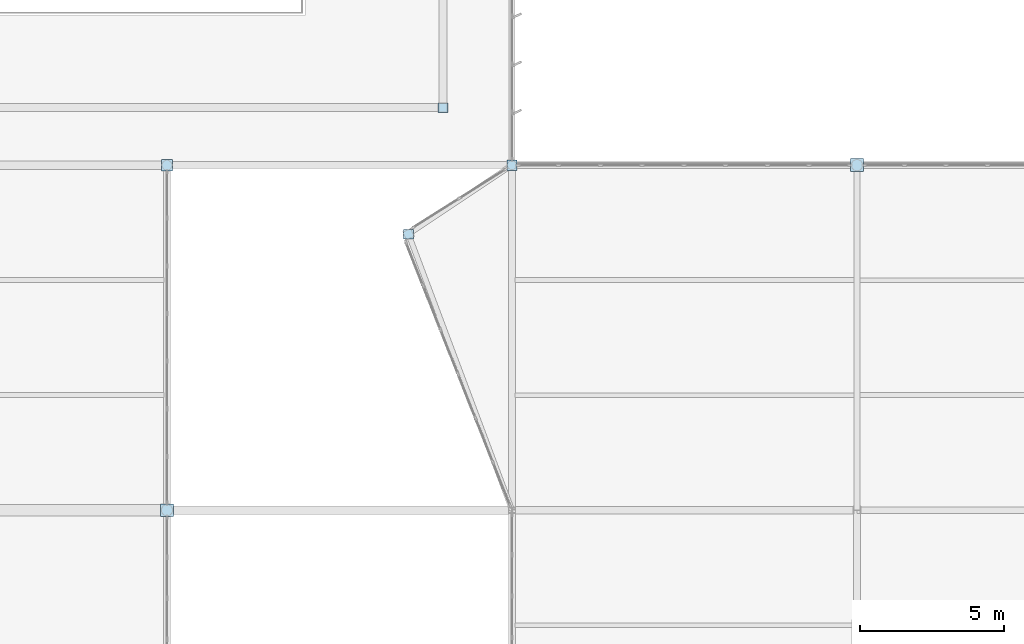
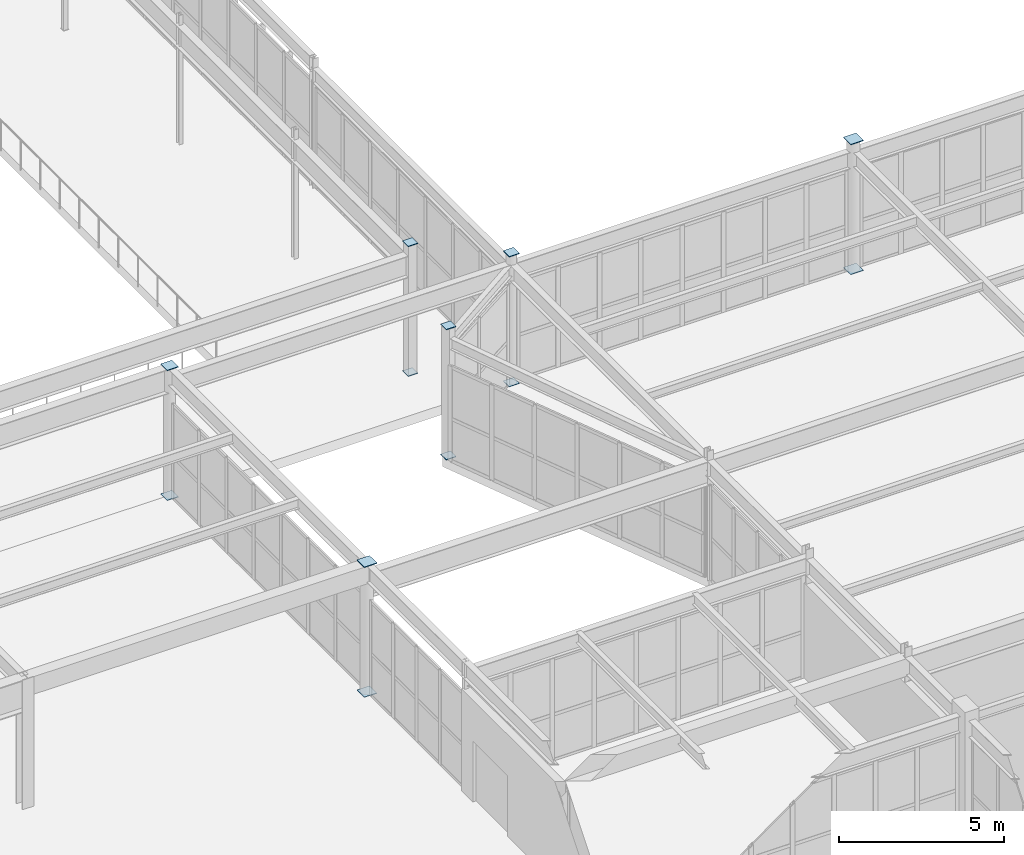
# One storey, part 147 of 186: 12 plates.
"""IFC4 building model written with IfcOpenShell, lengths in metres."""

from ifc_helpers import new_model, si_unit, direction, frame, origin, origin_2d, place, context, subcontext, project, spatial, rectangle, extrude, material, layer, layer_set, type_object, element, save


model = new_model("IFC4")

# Units and contexts
model_context = context("Model", 3, precision=1e-05, world=origin(), true_north=direction((0.0, 1.0)))
body_context = subcontext(model_context, "Body", "Model", "MODEL_VIEW")
ifc_project = project(units=[si_unit("LENGTHUNIT", "METRE"), si_unit("AREAUNIT", "SQUARE_METRE"), si_unit("VOLUMEUNIT", "CUBIC_METRE"), si_unit("PLANEANGLEUNIT", "RADIAN"), si_unit("MASSUNIT", "GRAM", prefix="KILO")], contexts=[model_context])

# Site, building, storey
site_placement = place(None, origin())
site = spatial("IfcSite", under=ifc_project, at=site_placement, CompositionType="ELEMENT")
building_placement = place(site_placement, origin())
building = spatial("IfcBuilding", under=site, at=building_placement, Name="Tarnwether General Hospital", CompositionType="ELEMENT")
storey_placement = place(building_placement, frame((0.0, 0.0, 9.60009765625)))
storey = spatial("IfcBuildingStorey", under=building, at=storey_placement, Name="L02", CompositionType="ELEMENT", Elevation=9.60009765625)

# Plates
ifc_material = material(Name="Steel Grade 350 (350 MPa)", Category="steel")
ifc_layer = layer(ifc_material, 0.02490234375)
ifc_layer_set = layer_set([ifc_layer], Name="Steel Grade 350 (350 MPa)")
plate_type = type_object("IfcPlateType", Name="PT-GUS2", PredefinedType="USERDEFINED", material=ifc_layer_set)
for number, where, z_axis, x_axis, name in (
    (1, (132.0, 33.60009765625, -0.025146484375), (0.0, 0.0, 1.0), (1.0, 0.0, 0.0), "Hollow Section Welded End Cap Plate 0225"),
    (2, (132.0, 33.60009765625, 4.800048828125), (0.0, 0.0, 1.0), (1.0, 0.0, 0.0), "Hollow Section Welded End Cap Plate 0226"),
):
    element("IfcPlate", number, at=place(storey_placement, frame(where, z_axis=z_axis, x_axis=x_axis)), inside=storey, type_object=plate_type, Name=name, ObjectType="GUSSET", PredefinedType="USERDEFINED", context=body_context, shape_type="SweptSolid", body=[
        extrude(rectangle(XDim=0.446044921875, YDim=0.446044921875, at=origin_2d()), origin(), (0.0, 0.0, 1.0), 0.02490234375),
    ])
for number, where, z_axis, x_axis, name in (
    (3, (132.0, 45.60009765625, -0.025146484375), (0.0, 0.0, 1.0), (1.0, 0.0, 0.0), "Hollow Section Welded End Cap Plate 0229"),
    (4, (132.0, 45.60009765625, 4.800048828125), (0.0, 0.0, 1.0), (1.0, 0.0, 0.0), "Hollow Section Welded End Cap Plate 0230"),
):
    element("IfcPlate", number, at=place(storey_placement, frame(where, z_axis=z_axis, x_axis=x_axis)), inside=storey, type_object=plate_type, Name=name, ObjectType="GUSSET", PredefinedType="USERDEFINED", context=body_context, shape_type="SweptSolid", body=[
        extrude(rectangle(XDim=0.39599609375, YDim=0.39599609375, at=origin_2d()), origin(), (0.0, 0.0, 1.0), 0.02490234375),
    ])
for number, where, z_axis, x_axis, name in (
    (5, (144.0, 45.60009765625, -0.025146484375), (0.0, 0.0, 1.0), (1.0, 0.0, 0.0), "Hollow Section Welded End Cap Plate 0281"),
    (6, (144.0, 45.60009765625, 4.800048828125), (0.0, 0.0, 1.0), (1.0, 0.0, 0.0), "Hollow Section Welded End Cap Plate 0282"),
):
    element("IfcPlate", number, at=place(storey_placement, frame(where, z_axis=z_axis, x_axis=x_axis)), inside=storey, type_object=plate_type, Name=name, ObjectType="GUSSET", PredefinedType="USERDEFINED", context=body_context, shape_type="SweptSolid", body=[
        extrude(rectangle(XDim=0.364013671875, YDim=0.364013671875, at=origin_2d()), origin(), (0.0, 0.0, 1.0), 0.02490234375),
    ])
for number, where, z_axis, x_axis, name in (
    (7, (156.0, 45.60009765625, -0.025146484375), (0.0, 0.0, 1.0), (1.0, 0.0, 0.0), "Hollow Section Welded End Cap Plate 0319"),
    (8, (156.0, 45.60009765625, 4.800048828125), (0.0, 0.0, 1.0), (1.0, 0.0, 0.0), "Hollow Section Welded End Cap Plate 0320"),
):
    element("IfcPlate", number, at=place(storey_placement, frame(where, z_axis=z_axis, x_axis=x_axis)), inside=storey, type_object=plate_type, Name=name, ObjectType="GUSSET", PredefinedType="USERDEFINED", context=body_context, shape_type="SweptSolid", body=[
        extrude(rectangle(XDim=0.446044921875, YDim=0.446044921875, at=origin_2d()), origin(), (0.0, 0.0, 1.0), 0.02490234375),
    ])
for number, where, z_axis, x_axis, name in (
    (9, (141.60009765625, 47.60009765625, -0.025146484375), (0.0, 0.0, 1.0), (1.0, 0.0, 0.0), "Hollow Section Welded End Cap Plate 0435"),
    (10, (141.60009765625, 47.60009765625, 4.800048828125), (0.0, 0.0, 1.0), (1.0, 0.0, 0.0), "Hollow Section Welded End Cap Plate 0436"),
    (11, (140.39990234375, 43.199951171875, -0.025146484375), (0.0, 0.0, 1.0), (1.0, 0.0, 0.0), "Hollow Section Welded End Cap Plate 0789"),
    (12, (140.39990234375, 43.199951171875, 4.800048828125), (0.0, 0.0, 1.0), (1.0, 0.0, 0.0), "Hollow Section Welded End Cap Plate 0790"),
):
    element("IfcPlate", number, at=place(storey_placement, frame(where, z_axis=z_axis, x_axis=x_axis)), inside=storey, type_object=plate_type, Name=name, ObjectType="GUSSET", PredefinedType="USERDEFINED", context=body_context, shape_type="SweptSolid", body=[
        extrude(rectangle(XDim=0.340087890625, YDim=0.340087890625, at=origin_2d()), origin(), (0.0, 0.0, 1.0), 0.02490234375),
    ])

save(model, "model.ifc")
